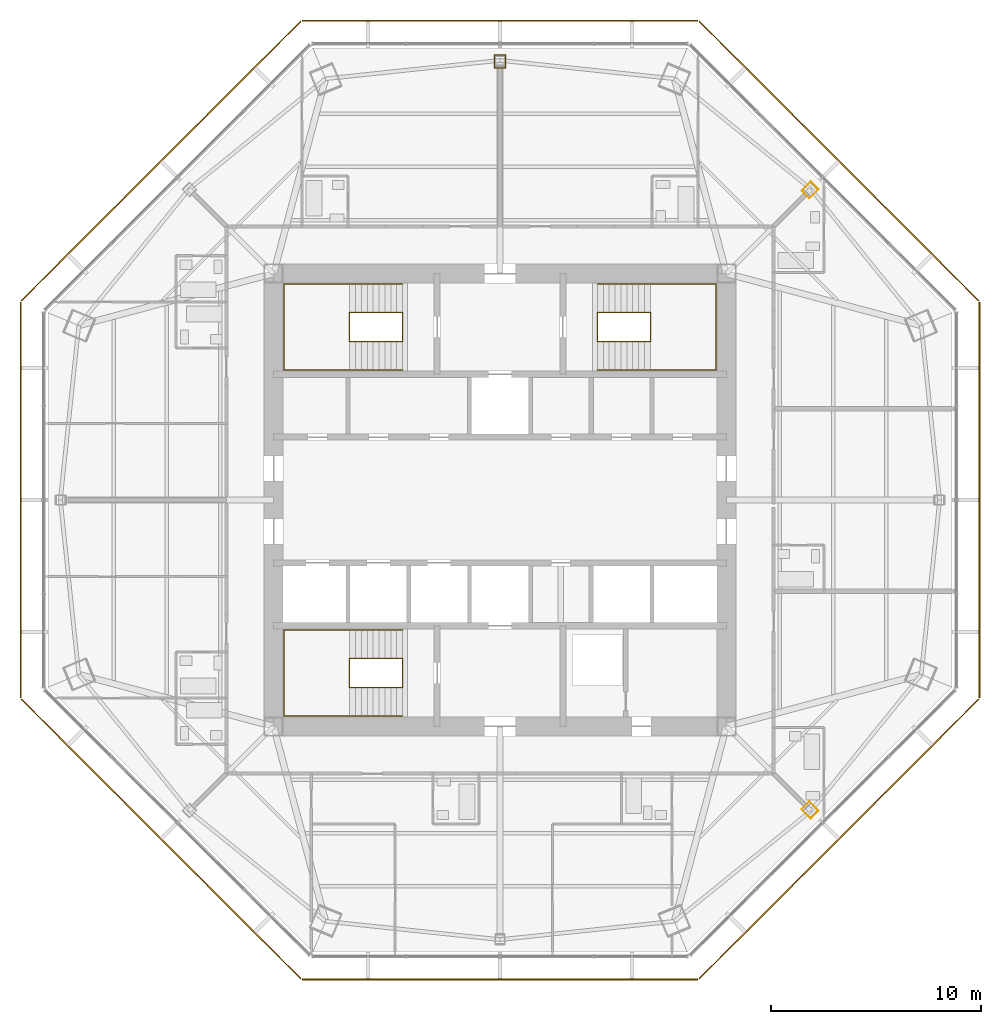
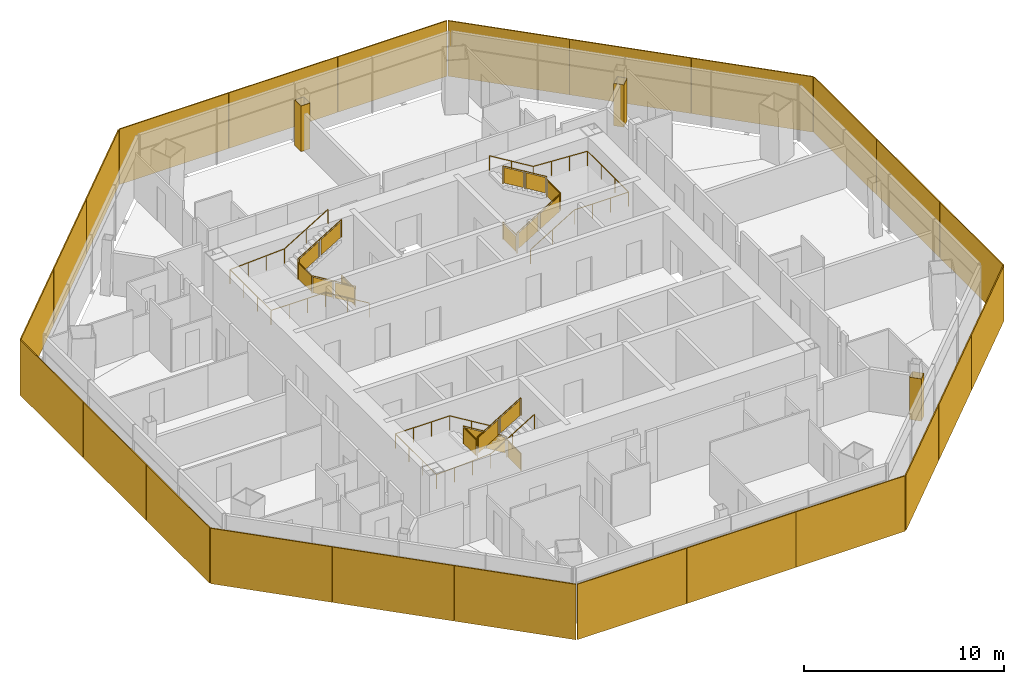
# One storey, part 14 of 15: 24 shading devices, 6 railings, 3 coverings.
"""IFC4 building model written with IfcOpenShell, lengths in metres."""

from ifc_helpers import new_model, si_unit, direction, frame, origin, origin_2d, place, context, subcontext, project, spatial, polyline, rectangle, circle, outline, extrude, source, transform, mapped, material, layer, layer_set, type_object, type_shapes, element, save


model = new_model("IFC4")

# Units and contexts
model_context = context("Model", 3, precision=1e-05, world=origin(), true_north=direction((0.0, 1.0)))
body_context = subcontext(model_context, "Body", "Model", "MODEL_VIEW")
ifc_project = project(units=[si_unit("LENGTHUNIT", "METRE"), si_unit("AREAUNIT", "SQUARE_METRE"), si_unit("VOLUMEUNIT", "CUBIC_METRE"), si_unit("PLANEANGLEUNIT", "RADIAN"), si_unit("MASSUNIT", "GRAM", prefix="KILO")], contexts=[model_context])

# Site, building, storey
site_placement = place(None, origin())
site = spatial("IfcSite", under=ifc_project, at=site_placement, CompositionType="ELEMENT")
building_placement = place(site_placement, origin())
building = spatial("IfcBuilding", under=site, at=building_placement, Name="Mashrafa Tower", CompositionType="ELEMENT")
storey_placement = place(building_placement, frame((0.0, 0.0, 221.0)))
storey = spatial("IfcBuildingStorey", under=building, at=storey_placement, Name="L51", CompositionType="ELEMENT", Elevation=221.0)

# Coverings
ifc_material_1 = material(Name="Gypsum board")
ifc_layer_1 = layer(ifc_material_1, 0.014892578125)
ifc_layer_set_1 = layer_set([ifc_layer_1], Name="Column casing plasterboard 15")
covering_type = type_object("IfcCoveringType", Name="Column casing plasterboard 15", PredefinedType="CLADDING", material=ifc_layer_set_1)
covering_1_placement = place(storey_placement, origin())
element("IfcCovering", 1, at=covering_1_placement, inside=storey, type_object=covering_type, Name="Column casing L51-001", PredefinedType="CLADDING", context=body_context, shape_type="SweptSolid", body=[
    extrude(outline(polyline([(14.380126953125, 14.7548828125), (14.822998046875, 15.197998046875), (15.197998046875, 14.822998046875), (14.7548828125, 14.380126953125), (14.380126953125, 14.7548828125)]), holes=[polyline([(15.1767578125, 14.822998046875), (14.822998046875, 15.1767578125), (14.4013671875, 14.7548828125), (14.7548828125, 14.4013671875), (15.1767578125, 14.822998046875)])]), origin(), (0.0, 0.0, 1.0), 2.577880859375),
])
covering_2_placement = place(storey_placement, origin())
element("IfcCovering", 2, at=covering_2_placement, inside=storey, type_object=covering_type, Name="Column casing L51-002", PredefinedType="CLADDING", context=body_context, shape_type="SweptSolid", body=[
    extrude(outline(polyline([(-0.264892578125, 21.22802734375), (0.264892578125, 21.22802734375), (0.264892578125, 20.601806640625), (-0.264892578125, 20.601806640625), (-0.264892578125, 21.22802734375)]), holes=[polyline([(0.25, 20.61669921875), (0.25, 21.212890625), (-0.25, 21.212890625), (-0.25, 20.61669921875), (0.25, 20.61669921875)])]), origin(), (0.0, 0.0, 1.0), 2.78369140625),
])
covering_3_placement = place(storey_placement, origin())
element("IfcCovering", 3, at=covering_3_placement, inside=storey, type_object=covering_type, Name="Column casing L51-003", PredefinedType="CLADDING", context=body_context, shape_type="SweptSolid", body=[
    extrude(outline(polyline([(14.380126953125, -14.7548828125), (14.7548828125, -14.380126953125), (15.197998046875, -14.822998046875), (14.822998046875, -15.197998046875), (14.380126953125, -14.7548828125)]), holes=[polyline([(15.1767578125, -14.822998046875), (14.7548828125, -14.4013671875), (14.4013671875, -14.7548828125), (14.822998046875, -15.1767578125), (15.1767578125, -14.822998046875)])]), origin(), (0.0, 0.0, 1.0), 2.577880859375),
])

# Railings
ifc_material_2 = material(Name="Steel guard with glass infill", Category="steel")
railing_type_1 = type_object("IfcRailingType", Name="Stair guard 1100", PredefinedType="GUARDRAIL", material=ifc_material_2)
railing_1_placement = place(storey_placement, frame((-4.64990234375, 8.949951171875, 0.0)))
element("IfcRailing", 4, at=railing_1_placement, inside=storey, type_object=railing_type_1, Name="Stair S1 guard L51", PredefinedType="GUARDRAIL", context=body_context, shape_type="SweptSolid", body=[
    extrude(circle(Radius=0.02392578125, at=origin_2d()), frame((0.0, 0.0, 1.076171875), z_axis=(0.0, -1.0, 0.0), x_axis=(1.0, 0.0, 0.0)), (0.0, 0.0, 1.0), 1.39990234375),
    extrude(circle(Radius=0.02392578125, at=origin_2d()), frame((0.0, -1.39990234375, 1.076171875), z_axis=(0.0, 0.0, 1.0), x_axis=(1.0, 0.0, 0.0)), (0.0, 0.0, 1.0), 0.169921875),
    extrude(circle(Radius=0.02392578125, at=origin_2d()), frame((0.0, -1.39990234375, 1.24609375), z_axis=(-0.85478489116, 0.0, 0.518982456201), x_axis=(0.0, -1.0, 0.0)), (0.0, 0.0, 1.0), 2.9482421875),
    extrude(circle(Radius=0.02392578125, at=origin_2d()), frame((-2.52001953125, -1.39990234375, 2.77587890625), z_axis=(0.0, 1.0, 0.0), x_axis=(-1.0, 0.0, 0.0)), (0.0, 0.0, 1.0), 1.39990234375),
    extrude(circle(Radius=0.02392578125, at=origin_2d()), frame((-2.52001953125, 0.0, 2.77587890625), z_axis=(0.0, 0.0, 1.0), x_axis=(1.0, 0.0, 0.0)), (0.0, 0.0, 1.0), 0.170166015625),
    extrude(circle(Radius=0.02392578125, at=origin_2d()), frame((-2.52001953125, 0.0, 2.9462890625), z_axis=(0.854821627497, 0.0, 0.518921945155), x_axis=(0.0, 1.0, 0.0)), (0.0, 0.0, 1.0), 2.947998046875),
    extrude(circle(Radius=0.02099609375, at=origin_2d()), origin(), (0.0, 0.0, 1.0), 1.052001953125),
    extrude(circle(Radius=0.02099609375, at=origin_2d()), frame((0.0, -1.39990234375, 0.0)), (0.0, 0.0, 1.0), 1.052001953125),
    extrude(circle(Radius=0.02099609375, at=origin_2d()), frame((0.0, -1.39990234375, 0.169921875)), (0.0, 0.0, 1.0), 1.052001953125),
    extrude(circle(Radius=0.02099609375, at=origin_2d()), frame((-1.260009765625, -1.39990234375, 0.93505859375)), (0.0, 0.0, 1.0), 1.052001953125),
    extrude(circle(Radius=0.02099609375, at=origin_2d()), frame((-2.52001953125, -1.39990234375, 1.699951171875)), (0.0, 0.0, 1.0), 1.052001953125),
    extrude(circle(Radius=0.02099609375, at=origin_2d()), frame((-2.52001953125, 0.0, 1.699951171875)), (0.0, 0.0, 1.0), 1.052001953125),
    extrude(circle(Radius=0.02099609375, at=origin_2d()), frame((-2.52001953125, 0.0, 1.8701171875)), (0.0, 0.0, 1.0), 1.052001953125),
    extrude(circle(Radius=0.02099609375, at=origin_2d()), frame((-1.260009765625, 0.0, 2.635009765625)), (0.0, 0.0, 1.0), 1.052001953125),
    extrude(circle(Radius=0.02099609375, at=origin_2d()), frame((0.0, 0.0, 3.39990234375)), (0.0, 0.0, 1.0), 1.052001953125),
    extrude(outline(polyline([(0.071044921875, 0.050048828125), (1.328857421875, 0.050048828125), (1.328857421875, 1.001953125), (0.071044921875, 1.001953125), (0.071044921875, 0.050048828125)])), frame((-0.006103515625, 0.0, 0.0), z_axis=(-1.0, 0.0, 0.0), x_axis=(0.0, -1.0, 0.0)), (0.0, 0.0, 1.0), 0.011962890625),
    extrude(outline(polyline([(0.071044921875, 0.093017578125), (1.18896484375, 0.77197265625), (1.18896484375, 1.723876953125), (0.071044921875, 1.045166015625), (0.071044921875, 0.093017578125)])), frame((0.0, -1.393798828125, 0.169921875), z_axis=(0.0, 1.0, 0.0), x_axis=(-1.0, 0.0, 0.0)), (0.0, 0.0, 1.0), 0.011962890625),
    extrude(outline(polyline([(1.3310546875, 0.858154296875), (2.448974609375, 1.536865234375), (2.448974609375, 2.489013671875), (1.3310546875, 1.81005859375), (1.3310546875, 0.858154296875)])), frame((0.0, -1.393798828125, 0.169921875), z_axis=(0.0, 1.0, 0.0), x_axis=(-1.0, 0.0, 0.0)), (0.0, 0.0, 1.0), 0.011962890625),
    extrude(outline(polyline([(0.071044921875, 0.050048828125), (1.328857421875, 0.050048828125), (1.328857421875, 1.001953125), (0.071044921875, 1.001953125), (0.071044921875, 0.050048828125)])), frame((-2.513916015625, -1.39990234375, 1.699951171875), z_axis=(1.0, 0.0, 0.0), x_axis=(0.0, 1.0, 0.0)), (0.0, 0.0, 1.0), 0.011962890625),
    extrude(outline(polyline([(0.071044921875, 0.093017578125), (1.18896484375, 0.771728515625), (1.18896484375, 1.723876953125), (0.071044921875, 1.045166015625), (0.071044921875, 0.093017578125)])), frame((-2.52001953125, -0.006103515625, 1.8701171875), z_axis=(0.0, -1.0, 0.0), x_axis=(1.0, 0.0, 0.0)), (0.0, 0.0, 1.0), 0.011962890625),
    extrude(outline(polyline([(1.3310546875, 0.85791015625), (2.448974609375, 1.53662109375), (2.448974609375, 2.48876953125), (1.3310546875, 1.81005859375), (1.3310546875, 0.85791015625)])), frame((-2.52001953125, -0.006103515625, 1.8701171875), z_axis=(0.0, -1.0, 0.0), x_axis=(1.0, 0.0, 0.0)), (0.0, 0.0, 1.0), 0.011962890625),
])
railing_2_placement = place(storey_placement, frame((4.64990234375, 8.949951171875, 0.0)))
element("IfcRailing", 5, at=railing_2_placement, inside=storey, type_object=railing_type_1, Name="Stair S2 guard L51", PredefinedType="GUARDRAIL", context=body_context, shape_type="SweptSolid", body=[
    extrude(circle(Radius=0.02392578125, at=origin_2d()), frame((0.0, 0.0, 1.076171875), z_axis=(0.0, -1.0, 0.0), x_axis=(1.0, 0.0, 0.0)), (0.0, 0.0, 1.0), 1.39990234375),
    extrude(circle(Radius=0.02392578125, at=origin_2d()), frame((0.0, -1.39990234375, 1.076171875), z_axis=(0.0, 0.0, 1.0), x_axis=(1.0, 0.0, 0.0)), (0.0, 0.0, 1.0), 0.169921875),
    extrude(circle(Radius=0.02392578125, at=origin_2d()), frame((0.0, -1.39990234375, 1.24609375), z_axis=(0.85478489116, 0.0, 0.518982456201), x_axis=(0.0, 1.0, 0.0)), (0.0, 0.0, 1.0), 2.9482421875),
    extrude(circle(Radius=0.02392578125, at=origin_2d()), frame((2.52001953125, -1.39990234375, 2.77587890625), z_axis=(0.0, 1.0, 0.0), x_axis=(-1.0, 0.0, 0.0)), (0.0, 0.0, 1.0), 1.39990234375),
    extrude(circle(Radius=0.02392578125, at=origin_2d()), frame((2.52001953125, 0.0, 2.77587890625), z_axis=(0.0, 0.0, 1.0), x_axis=(1.0, 0.0, 0.0)), (0.0, 0.0, 1.0), 0.170166015625),
    extrude(circle(Radius=0.02392578125, at=origin_2d()), frame((2.52001953125, 0.0, 2.9462890625), z_axis=(-0.854821627497, 0.0, 0.518921945155), x_axis=(0.0, -1.0, 0.0)), (0.0, 0.0, 1.0), 2.947998046875),
    extrude(circle(Radius=0.02099609375, at=origin_2d()), origin(), (0.0, 0.0, 1.0), 1.052001953125),
    extrude(circle(Radius=0.02099609375, at=origin_2d()), frame((0.0, -1.39990234375, 0.0)), (0.0, 0.0, 1.0), 1.052001953125),
    extrude(circle(Radius=0.02099609375, at=origin_2d()), frame((0.0, -1.39990234375, 0.169921875)), (0.0, 0.0, 1.0), 1.052001953125),
    extrude(circle(Radius=0.02099609375, at=origin_2d()), frame((1.260009765625, -1.39990234375, 0.93505859375)), (0.0, 0.0, 1.0), 1.052001953125),
    extrude(circle(Radius=0.02099609375, at=origin_2d()), frame((2.52001953125, -1.39990234375, 1.699951171875)), (0.0, 0.0, 1.0), 1.052001953125),
    extrude(circle(Radius=0.02099609375, at=origin_2d()), frame((2.52001953125, 0.0, 1.699951171875)), (0.0, 0.0, 1.0), 1.052001953125),
    extrude(circle(Radius=0.02099609375, at=origin_2d()), frame((2.52001953125, 0.0, 1.8701171875)), (0.0, 0.0, 1.0), 1.052001953125),
    extrude(circle(Radius=0.02099609375, at=origin_2d()), frame((1.260009765625, 0.0, 2.635009765625)), (0.0, 0.0, 1.0), 1.052001953125),
    extrude(circle(Radius=0.02099609375, at=origin_2d()), frame((0.0, 0.0, 3.39990234375)), (0.0, 0.0, 1.0), 1.052001953125),
    extrude(outline(polyline([(0.071044921875, 0.050048828125), (1.328857421875, 0.050048828125), (1.328857421875, 1.001953125), (0.071044921875, 1.001953125), (0.071044921875, 0.050048828125)])), frame((-0.006103515625, 0.0, 0.0), z_axis=(-1.0, 0.0, 0.0), x_axis=(0.0, -1.0, 0.0)), (0.0, 0.0, 1.0), 0.011962890625),
    extrude(outline(polyline([(0.071044921875, 0.093017578125), (1.18896484375, 0.77197265625), (1.18896484375, 1.723876953125), (0.071044921875, 1.045166015625), (0.071044921875, 0.093017578125)])), frame((0.0, -1.406005859375, 0.169921875), z_axis=(0.0, -1.0, 0.0), x_axis=(1.0, 0.0, 0.0)), (0.0, 0.0, 1.0), 0.011962890625),
    extrude(outline(polyline([(1.3310546875, 0.858154296875), (2.448974609375, 1.536865234375), (2.448974609375, 2.489013671875), (1.3310546875, 1.81005859375), (1.3310546875, 0.858154296875)])), frame((0.0, -1.406005859375, 0.169921875), z_axis=(0.0, -1.0, 0.0), x_axis=(1.0, 0.0, 0.0)), (0.0, 0.0, 1.0), 0.011962890625),
    extrude(outline(polyline([(0.071044921875, 0.050048828125), (1.328857421875, 0.050048828125), (1.328857421875, 1.001953125), (0.071044921875, 1.001953125), (0.071044921875, 0.050048828125)])), frame((2.526123046875, -1.39990234375, 1.699951171875), z_axis=(1.0, 0.0, 0.0), x_axis=(0.0, 1.0, 0.0)), (0.0, 0.0, 1.0), 0.011962890625),
    extrude(outline(polyline([(0.071044921875, 0.093017578125), (1.18896484375, 0.771728515625), (1.18896484375, 1.723876953125), (0.071044921875, 1.045166015625), (0.071044921875, 0.093017578125)])), frame((2.52001953125, 0.006103515625, 1.8701171875), z_axis=(0.0, 1.0, 0.0), x_axis=(-1.0, 0.0, 0.0)), (0.0, 0.0, 1.0), 0.011962890625),
    extrude(outline(polyline([(1.3310546875, 0.85791015625), (2.448974609375, 1.53662109375), (2.448974609375, 2.48876953125), (1.3310546875, 1.81005859375), (1.3310546875, 0.85791015625)])), frame((2.52001953125, 0.006103515625, 1.8701171875), z_axis=(0.0, 1.0, 0.0), x_axis=(-1.0, 0.0, 0.0)), (0.0, 0.0, 1.0), 0.011962890625),
])
railing_3_placement = place(storey_placement, frame((-4.64990234375, -8.949951171875, 0.0)))
element("IfcRailing", 6, at=railing_3_placement, inside=storey, type_object=railing_type_1, Name="Stair S3 guard L51", PredefinedType="GUARDRAIL", context=body_context, shape_type="SweptSolid", body=[
    extrude(circle(Radius=0.02392578125, at=origin_2d()), frame((0.0, 0.0, 1.076171875), z_axis=(0.0, 1.0, 0.0), x_axis=(-1.0, 0.0, 0.0)), (0.0, 0.0, 1.0), 1.39990234375),
    extrude(circle(Radius=0.02392578125, at=origin_2d()), frame((0.0, 1.39990234375, 1.076171875), z_axis=(0.0, 0.0, 1.0), x_axis=(1.0, 0.0, 0.0)), (0.0, 0.0, 1.0), 0.169921875),
    extrude(circle(Radius=0.02392578125, at=origin_2d()), frame((0.0, 1.39990234375, 1.24609375), z_axis=(-0.85478489116, 0.0, 0.518982456201), x_axis=(0.0, -1.0, 0.0)), (0.0, 0.0, 1.0), 2.9482421875),
    extrude(circle(Radius=0.02392578125, at=origin_2d()), frame((-2.52001953125, 1.39990234375, 2.77587890625), z_axis=(0.0, -1.0, 0.0), x_axis=(1.0, 0.0, 0.0)), (0.0, 0.0, 1.0), 1.39990234375),
    extrude(circle(Radius=0.02392578125, at=origin_2d()), frame((-2.52001953125, 0.0, 2.77587890625), z_axis=(0.0, 0.0, 1.0), x_axis=(1.0, 0.0, 0.0)), (0.0, 0.0, 1.0), 0.170166015625),
    extrude(circle(Radius=0.02392578125, at=origin_2d()), frame((-2.52001953125, 0.0, 2.9462890625), z_axis=(0.854821627497, 0.0, 0.518921945155), x_axis=(0.0, 1.0, 0.0)), (0.0, 0.0, 1.0), 2.947998046875),
    extrude(circle(Radius=0.02099609375, at=origin_2d()), origin(), (0.0, 0.0, 1.0), 1.052001953125),
    extrude(circle(Radius=0.02099609375, at=origin_2d()), frame((0.0, 1.39990234375, 0.0)), (0.0, 0.0, 1.0), 1.052001953125),
    extrude(circle(Radius=0.02099609375, at=origin_2d()), frame((0.0, 1.39990234375, 0.169921875)), (0.0, 0.0, 1.0), 1.052001953125),
    extrude(circle(Radius=0.02099609375, at=origin_2d()), frame((-1.260009765625, 1.39990234375, 0.93505859375)), (0.0, 0.0, 1.0), 1.052001953125),
    extrude(circle(Radius=0.02099609375, at=origin_2d()), frame((-2.52001953125, 1.39990234375, 1.699951171875)), (0.0, 0.0, 1.0), 1.052001953125),
    extrude(circle(Radius=0.02099609375, at=origin_2d()), frame((-2.52001953125, 0.0, 1.699951171875)), (0.0, 0.0, 1.0), 1.052001953125),
    extrude(circle(Radius=0.02099609375, at=origin_2d()), frame((-2.52001953125, 0.0, 1.8701171875)), (0.0, 0.0, 1.0), 1.052001953125),
    extrude(circle(Radius=0.02099609375, at=origin_2d()), frame((-1.260009765625, 0.0, 2.635009765625)), (0.0, 0.0, 1.0), 1.052001953125),
    extrude(circle(Radius=0.02099609375, at=origin_2d()), frame((0.0, 0.0, 3.39990234375)), (0.0, 0.0, 1.0), 1.052001953125),
    extrude(outline(polyline([(0.071044921875, 0.050048828125), (1.328857421875, 0.050048828125), (1.328857421875, 1.001953125), (0.071044921875, 1.001953125), (0.071044921875, 0.050048828125)])), frame((0.006103515625, 0.0, 0.0), z_axis=(1.0, 0.0, 0.0), x_axis=(0.0, 1.0, 0.0)), (0.0, 0.0, 1.0), 0.011962890625),
    extrude(outline(polyline([(0.071044921875, 0.093017578125), (1.18896484375, 0.77197265625), (1.18896484375, 1.723876953125), (0.071044921875, 1.045166015625), (0.071044921875, 0.093017578125)])), frame((0.0, 1.406005859375, 0.169921875), z_axis=(0.0, 1.0, 0.0), x_axis=(-1.0, 0.0, 0.0)), (0.0, 0.0, 1.0), 0.011962890625),
    extrude(outline(polyline([(1.3310546875, 0.858154296875), (2.448974609375, 1.536865234375), (2.448974609375, 2.489013671875), (1.3310546875, 1.81005859375), (1.3310546875, 0.858154296875)])), frame((0.0, 1.406005859375, 0.169921875), z_axis=(0.0, 1.0, 0.0), x_axis=(-1.0, 0.0, 0.0)), (0.0, 0.0, 1.0), 0.011962890625),
    extrude(outline(polyline([(0.071044921875, 0.050048828125), (1.328857421875, 0.050048828125), (1.328857421875, 1.001953125), (0.071044921875, 1.001953125), (0.071044921875, 0.050048828125)])), frame((-2.526123046875, 1.39990234375, 1.699951171875), z_axis=(-1.0, 0.0, 0.0), x_axis=(0.0, -1.0, 0.0)), (0.0, 0.0, 1.0), 0.011962890625),
    extrude(outline(polyline([(0.071044921875, 0.093017578125), (1.18896484375, 0.771728515625), (1.18896484375, 1.723876953125), (0.071044921875, 1.045166015625), (0.071044921875, 0.093017578125)])), frame((-2.52001953125, -0.006103515625, 1.8701171875), z_axis=(0.0, -1.0, 0.0), x_axis=(1.0, 0.0, 0.0)), (0.0, 0.0, 1.0), 0.011962890625),
    extrude(outline(polyline([(1.3310546875, 0.85791015625), (2.448974609375, 1.53662109375), (2.448974609375, 2.48876953125), (1.3310546875, 1.81005859375), (1.3310546875, 0.85791015625)])), frame((-2.52001953125, -0.006103515625, 1.8701171875), z_axis=(0.0, -1.0, 0.0), x_axis=(1.0, 0.0, 0.0)), (0.0, 0.0, 1.0), 0.011962890625),
])
ifc_material_3 = material(Name="Steel", Category="steel")
railing_type_2 = type_object("IfcRailingType", Name="Stair handrail 900", PredefinedType="HANDRAIL", material=ifc_material_3)
railing_4_placement = place(storey_placement, frame((-4.64990234375, 6.199951171875, 0.169921875)))
element("IfcRailing", 7, at=railing_4_placement, inside=storey, type_object=railing_type_2, Name="Stair S1 handrail L51", PredefinedType="HANDRAIL", context=body_context, shape_type="SweptSolid", body=[
    extrude(circle(Radius=0.02392578125, at=origin_2d()), frame((0.0, 0.0, 0.8759765625), z_axis=(-0.85478489116, 0.0, 0.518982456201), x_axis=(0.0, -1.0, 0.0)), (0.0, 0.0, 1.0), 2.9482421875),
    extrude(circle(Radius=0.02392578125, at=origin_2d()), frame((-2.52001953125, 0.0, 2.40576171875), z_axis=(-1.0, 0.0, 0.0), x_axis=(0.0, -1.0, 0.0)), (0.0, 0.0, 1.0), 3.130126953125),
    extrude(circle(Radius=0.02392578125, at=origin_2d()), frame((-5.650146484375, 0.0, 2.40576171875), z_axis=(0.0, 1.0, 0.0), x_axis=(-1.0, 0.0, 0.0)), (0.0, 0.0, 1.0), 4.10009765625),
    extrude(circle(Radius=0.02392578125, at=origin_2d()), frame((-5.650146484375, 4.10009765625, 2.40576171875), z_axis=(0.998525548763, 0.0, 0.054283777201), x_axis=(0.0, 1.0, 0.0)), (0.0, 0.0, 1.0), 3.134765625),
    extrude(circle(Radius=0.02392578125, at=origin_2d()), frame((-2.52001953125, 4.10009765625, 2.576171875), z_axis=(0.854821627497, 0.0, 0.518921945155), x_axis=(0.0, 1.0, 0.0)), (0.0, 0.0, 1.0), 2.947998046875),
    extrude(circle(Radius=0.02099609375, at=origin_2d()), origin(), (0.0, 0.0, 1.0), 0.851806640625),
    extrude(circle(Radius=0.02099609375, at=origin_2d()), frame((-1.260009765625, 0.0, 0.76513671875)), (0.0, 0.0, 1.0), 0.851806640625),
    extrude(circle(Radius=0.02099609375, at=origin_2d()), frame((-2.52001953125, 0.0, 1.530029296875)), (0.0, 0.0, 1.0), 0.851806640625),
    extrude(circle(Radius=0.02099609375, at=origin_2d()), frame((-3.5634765625, 0.0, 1.530029296875)), (0.0, 0.0, 1.0), 0.851806640625),
    extrude(circle(Radius=0.02099609375, at=origin_2d()), frame((-4.606689453125, 0.0, 1.530029296875)), (0.0, 0.0, 1.0), 0.851806640625),
    extrude(circle(Radius=0.02099609375, at=origin_2d()), frame((-5.650146484375, 0.0, 1.530029296875)), (0.0, 0.0, 1.0), 0.851806640625),
    extrude(circle(Radius=0.02099609375, at=origin_2d()), frame((-5.650146484375, 1.36669921875, 1.530029296875)), (0.0, 0.0, 1.0), 0.851806640625),
    extrude(circle(Radius=0.02099609375, at=origin_2d()), frame((-5.650146484375, 2.7333984375, 1.530029296875)), (0.0, 0.0, 1.0), 0.851806640625),
    extrude(circle(Radius=0.02099609375, at=origin_2d()), frame((-5.650146484375, 4.10009765625, 1.530029296875)), (0.0, 0.0, 1.0), 0.851806640625),
    extrude(circle(Radius=0.02099609375, at=origin_2d()), frame((-4.606689453125, 4.10009765625, 1.586669921875)), (0.0, 0.0, 1.0), 0.851806640625),
    extrude(circle(Radius=0.02099609375, at=origin_2d()), frame((-3.5634765625, 4.10009765625, 1.6435546875)), (0.0, 0.0, 1.0), 0.851806640625),
    extrude(circle(Radius=0.02099609375, at=origin_2d()), frame((-2.52001953125, 4.10009765625, 1.7001953125)), (0.0, 0.0, 1.0), 0.851806640625),
    extrude(circle(Radius=0.02099609375, at=origin_2d()), frame((-1.260009765625, 4.10009765625, 2.465087890625)), (0.0, 0.0, 1.0), 0.851806640625),
    extrude(circle(Radius=0.02099609375, at=origin_2d()), frame((0.0, 4.10009765625, 3.22998046875)), (0.0, 0.0, 1.0), 0.851806640625),
])
railing_5_placement = place(storey_placement, frame((4.64990234375, 6.199951171875, 0.169921875)))
element("IfcRailing", 8, at=railing_5_placement, inside=storey, type_object=railing_type_2, Name="Stair S2 handrail L51", PredefinedType="HANDRAIL", context=body_context, shape_type="SweptSolid", body=[
    extrude(circle(Radius=0.02392578125, at=origin_2d()), frame((0.0, 0.0, 0.8759765625), z_axis=(0.85478489116, 0.0, 0.518982456201), x_axis=(0.0, 1.0, 0.0)), (0.0, 0.0, 1.0), 2.9482421875),
    extrude(circle(Radius=0.02392578125, at=origin_2d()), frame((2.52001953125, 0.0, 2.40576171875), z_axis=(1.0, 0.0, 0.0), x_axis=(0.0, 1.0, 0.0)), (0.0, 0.0, 1.0), 3.130126953125),
    extrude(circle(Radius=0.02392578125, at=origin_2d()), frame((5.650146484375, 0.0, 2.40576171875), z_axis=(0.0, 1.0, 0.0), x_axis=(-1.0, 0.0, 0.0)), (0.0, 0.0, 1.0), 4.10009765625),
    extrude(circle(Radius=0.02392578125, at=origin_2d()), frame((5.650146484375, 4.10009765625, 2.40576171875), z_axis=(-0.998525548763, 0.0, 0.054283777201), x_axis=(0.0, -1.0, 0.0)), (0.0, 0.0, 1.0), 3.134765625),
    extrude(circle(Radius=0.02392578125, at=origin_2d()), frame((2.52001953125, 4.10009765625, 2.576171875), z_axis=(-0.854821627497, 0.0, 0.518921945155), x_axis=(0.0, -1.0, 0.0)), (0.0, 0.0, 1.0), 2.947998046875),
    extrude(circle(Radius=0.02099609375, at=origin_2d()), origin(), (0.0, 0.0, 1.0), 0.851806640625),
    extrude(circle(Radius=0.02099609375, at=origin_2d()), frame((1.260009765625, 0.0, 0.76513671875)), (0.0, 0.0, 1.0), 0.851806640625),
    extrude(circle(Radius=0.02099609375, at=origin_2d()), frame((2.52001953125, 0.0, 1.530029296875)), (0.0, 0.0, 1.0), 0.851806640625),
    extrude(circle(Radius=0.02099609375, at=origin_2d()), frame((3.5634765625, 0.0, 1.530029296875)), (0.0, 0.0, 1.0), 0.851806640625),
    extrude(circle(Radius=0.02099609375, at=origin_2d()), frame((4.606689453125, 0.0, 1.530029296875)), (0.0, 0.0, 1.0), 0.851806640625),
    extrude(circle(Radius=0.02099609375, at=origin_2d()), frame((5.650146484375, 0.0, 1.530029296875)), (0.0, 0.0, 1.0), 0.851806640625),
    extrude(circle(Radius=0.02099609375, at=origin_2d()), frame((5.650146484375, 1.36669921875, 1.530029296875)), (0.0, 0.0, 1.0), 0.851806640625),
    extrude(circle(Radius=0.02099609375, at=origin_2d()), frame((5.650146484375, 2.7333984375, 1.530029296875)), (0.0, 0.0, 1.0), 0.851806640625),
    extrude(circle(Radius=0.02099609375, at=origin_2d()), frame((5.650146484375, 4.10009765625, 1.530029296875)), (0.0, 0.0, 1.0), 0.851806640625),
    extrude(circle(Radius=0.02099609375, at=origin_2d()), frame((4.606689453125, 4.10009765625, 1.586669921875)), (0.0, 0.0, 1.0), 0.851806640625),
    extrude(circle(Radius=0.02099609375, at=origin_2d()), frame((3.5634765625, 4.10009765625, 1.6435546875)), (0.0, 0.0, 1.0), 0.851806640625),
    extrude(circle(Radius=0.02099609375, at=origin_2d()), frame((2.52001953125, 4.10009765625, 1.7001953125)), (0.0, 0.0, 1.0), 0.851806640625),
    extrude(circle(Radius=0.02099609375, at=origin_2d()), frame((1.260009765625, 4.10009765625, 2.465087890625)), (0.0, 0.0, 1.0), 0.851806640625),
    extrude(circle(Radius=0.02099609375, at=origin_2d()), frame((0.0, 4.10009765625, 3.22998046875)), (0.0, 0.0, 1.0), 0.851806640625),
])
railing_6_placement = place(storey_placement, frame((-4.64990234375, -6.199951171875, 0.169921875)))
element("IfcRailing", 9, at=railing_6_placement, inside=storey, type_object=railing_type_2, Name="Stair S3 handrail L51", PredefinedType="HANDRAIL", context=body_context, shape_type="SweptSolid", body=[
    extrude(circle(Radius=0.02392578125, at=origin_2d()), frame((0.0, 0.0, 0.8759765625), z_axis=(-0.85478489116, 0.0, 0.518982456201), x_axis=(0.0, -1.0, 0.0)), (0.0, 0.0, 1.0), 2.9482421875),
    extrude(circle(Radius=0.02392578125, at=origin_2d()), frame((-2.52001953125, 0.0, 2.40576171875), z_axis=(-1.0, 0.0, 0.0), x_axis=(0.0, -1.0, 0.0)), (0.0, 0.0, 1.0), 3.130126953125),
    extrude(circle(Radius=0.02392578125, at=origin_2d()), frame((-5.650146484375, 0.0, 2.40576171875), z_axis=(0.0, -1.0, 0.0), x_axis=(1.0, 0.0, 0.0)), (0.0, 0.0, 1.0), 4.10009765625),
    extrude(circle(Radius=0.02392578125, at=origin_2d()), frame((-5.650146484375, -4.10009765625, 2.40576171875), z_axis=(0.998525548763, 0.0, 0.054283777201), x_axis=(0.0, 1.0, 0.0)), (0.0, 0.0, 1.0), 3.134765625),
    extrude(circle(Radius=0.02392578125, at=origin_2d()), frame((-2.52001953125, -4.10009765625, 2.576171875), z_axis=(0.854821627497, 0.0, 0.518921945155), x_axis=(0.0, 1.0, 0.0)), (0.0, 0.0, 1.0), 2.947998046875),
    extrude(circle(Radius=0.02099609375, at=origin_2d()), origin(), (0.0, 0.0, 1.0), 0.851806640625),
    extrude(circle(Radius=0.02099609375, at=origin_2d()), frame((-1.260009765625, 0.0, 0.76513671875)), (0.0, 0.0, 1.0), 0.851806640625),
    extrude(circle(Radius=0.02099609375, at=origin_2d()), frame((-2.52001953125, 0.0, 1.530029296875)), (0.0, 0.0, 1.0), 0.851806640625),
    extrude(circle(Radius=0.02099609375, at=origin_2d()), frame((-3.5634765625, 0.0, 1.530029296875)), (0.0, 0.0, 1.0), 0.851806640625),
    extrude(circle(Radius=0.02099609375, at=origin_2d()), frame((-4.606689453125, 0.0, 1.530029296875)), (0.0, 0.0, 1.0), 0.851806640625),
    extrude(circle(Radius=0.02099609375, at=origin_2d()), frame((-5.650146484375, 0.0, 1.530029296875)), (0.0, 0.0, 1.0), 0.851806640625),
    extrude(circle(Radius=0.02099609375, at=origin_2d()), frame((-5.650146484375, -1.36669921875, 1.530029296875)), (0.0, 0.0, 1.0), 0.851806640625),
    extrude(circle(Radius=0.02099609375, at=origin_2d()), frame((-5.650146484375, -2.7333984375, 1.530029296875)), (0.0, 0.0, 1.0), 0.851806640625),
    extrude(circle(Radius=0.02099609375, at=origin_2d()), frame((-5.650146484375, -4.10009765625, 1.530029296875)), (0.0, 0.0, 1.0), 0.851806640625),
    extrude(circle(Radius=0.02099609375, at=origin_2d()), frame((-4.606689453125, -4.10009765625, 1.586669921875)), (0.0, 0.0, 1.0), 0.851806640625),
    extrude(circle(Radius=0.02099609375, at=origin_2d()), frame((-3.5634765625, -4.10009765625, 1.6435546875)), (0.0, 0.0, 1.0), 0.851806640625),
    extrude(circle(Radius=0.02099609375, at=origin_2d()), frame((-2.52001953125, -4.10009765625, 1.7001953125)), (0.0, 0.0, 1.0), 0.851806640625),
    extrude(circle(Radius=0.02099609375, at=origin_2d()), frame((-1.260009765625, -4.10009765625, 2.465087890625)), (0.0, 0.0, 1.0), 0.851806640625),
    extrude(circle(Radius=0.02099609375, at=origin_2d()), frame((0.0, -4.10009765625, 3.22998046875)), (0.0, 0.0, 1.0), 0.851806640625),
])

# Shading devices
ifc_material_4 = material(Name="Perforated aluminium plate, eight-point star pattern", Category="aluminium")
ifc_layer_2 = layer(ifc_material_4, 0.06005859375)
ifc_layer_set_2 = layer_set([ifc_layer_2], Name="Mashrabiya screen panel apartment zone 3, 28 percent open")
shading_device_type = type_object("IfcShadingDeviceType", Name="Mashrabiya screen panel apartment zone 3, 28 percent open", PredefinedType="SHUTTER", material=ifc_layer_set_2)
shared_shape = source(origin(), body_context, "Body", "SweptSolid", [
    extrude(rectangle(XDim=6.278564453125, YDim=0.06005859375, at=origin_2d()), origin(), (0.0, 0.0, 1.0), 3.3798828125),
])
type_shapes(shading_device_type, [shared_shape])
for number, where, z_axis, x_axis, name in (
    (10, (22.863037109375, -6.298583984375, -0.14990234375), (0.0, 0.0, 1.0), (0.0, 1.0, 0.0), "Mashrabiya screen L51 east 1"),
    (11, (22.863037109375, 0.0, -0.14990234375), (0.0, 0.0, 1.0), (0.0, 1.0, 0.0), "Mashrabiya screen L51 east 2"),
    (12, (22.863037109375, 6.298583984375, -0.14990234375), (0.0, 0.0, 1.0), (0.0, 1.0, 0.0), "Mashrabiya screen L51 east 3"),
    (13, (20.6201171875, 11.712890625, -0.14990234375), (0.0, 0.0, 1.0), (-0.707106781187, 0.707106781187, 0.0), "Mashrabiya screen L51 north-east 1"),
    (14, (16.16650390625, 16.16650390625, -0.14990234375), (0.0, 0.0, 1.0), (-0.707106781187, 0.707106781187, 0.0), "Mashrabiya screen L51 north-east 2"),
    (15, (11.712890625, 20.6201171875, -0.14990234375), (0.0, 0.0, 1.0), (-0.707106781187, 0.707106781187, 0.0), "Mashrabiya screen L51 north-east 3"),
    (16, (6.298583984375, 22.863037109375, -0.14990234375), (0.0, 0.0, 1.0), (-1.0, 0.0, 0.0), "Mashrabiya screen L51 north 1"),
    (17, (0.0, 22.863037109375, -0.14990234375), (0.0, 0.0, 1.0), (-1.0, 0.0, 0.0), "Mashrabiya screen L51 north 2"),
    (18, (-6.298583984375, 22.863037109375, -0.14990234375), (0.0, 0.0, 1.0), (-1.0, 0.0, 0.0), "Mashrabiya screen L51 north 3"),
    (19, (-11.712890625, 20.6201171875, -0.14990234375), (0.0, 0.0, 1.0), (-0.707106781187, -0.707106781187, 0.0), "Mashrabiya screen L51 north-west 1"),
    (20, (-16.16650390625, 16.16650390625, -0.14990234375), (0.0, 0.0, 1.0), (-0.707106781187, -0.707106781187, 0.0), "Mashrabiya screen L51 north-west 2"),
    (21, (-20.6201171875, 11.712890625, -0.14990234375), (0.0, 0.0, 1.0), (-0.707106781187, -0.707106781187, 0.0), "Mashrabiya screen L51 north-west 3"),
    (22, (-22.863037109375, 6.298583984375, -0.14990234375), (0.0, 0.0, 1.0), (0.0, -1.0, 0.0), "Mashrabiya screen L51 west 1"),
    (23, (-22.863037109375, 0.0, -0.14990234375), (0.0, 0.0, 1.0), (0.0, -1.0, 0.0), "Mashrabiya screen L51 west 2"),
    (24, (-22.863037109375, -6.298583984375, -0.14990234375), (0.0, 0.0, 1.0), (0.0, -1.0, 0.0), "Mashrabiya screen L51 west 3"),
    (25, (-20.6201171875, -11.712890625, -0.14990234375), (0.0, 0.0, 1.0), (0.707106781187, -0.707106781187, 0.0), "Mashrabiya screen L51 south-west 1"),
    (26, (-16.16650390625, -16.16650390625, -0.14990234375), (0.0, 0.0, 1.0), (0.707106781187, -0.707106781187, 0.0), "Mashrabiya screen L51 south-west 2"),
    (27, (-11.712890625, -20.6201171875, -0.14990234375), (0.0, 0.0, 1.0), (0.707106781187, -0.707106781187, 0.0), "Mashrabiya screen L51 south-west 3"),
    (28, (-6.298583984375, -22.863037109375, -0.14990234375), (0.0, 0.0, 1.0), (1.0, 0.0, 0.0), "Mashrabiya screen L51 south 1"),
    (29, (0.0, -22.863037109375, -0.14990234375), (0.0, 0.0, 1.0), (1.0, 0.0, 0.0), "Mashrabiya screen L51 south 2"),
    (30, (6.298583984375, -22.863037109375, -0.14990234375), (0.0, 0.0, 1.0), (1.0, 0.0, 0.0), "Mashrabiya screen L51 south 3"),
    (31, (11.712890625, -20.6201171875, -0.14990234375), (0.0, 0.0, 1.0), (0.707106781187, 0.707106781187, 0.0), "Mashrabiya screen L51 south-east 1"),
    (32, (16.16650390625, -16.16650390625, -0.14990234375), (0.0, 0.0, 1.0), (0.707106781187, 0.707106781187, 0.0), "Mashrabiya screen L51 south-east 2"),
    (33, (20.6201171875, -11.712890625, -0.14990234375), (0.0, 0.0, 1.0), (0.707106781187, 0.707106781187, 0.0), "Mashrabiya screen L51 south-east 3"),
):
    element("IfcShadingDevice", number, at=place(storey_placement, frame(where, z_axis=z_axis, x_axis=x_axis)), inside=storey, type_object=shading_device_type, Name=name, PredefinedType="SHUTTER", context=body_context, shape_type="MappedRepresentation", body=[
        mapped(shared_shape, transform((0.0, 0.0, 0.0))),
    ])

save(model, "model.ifc")
